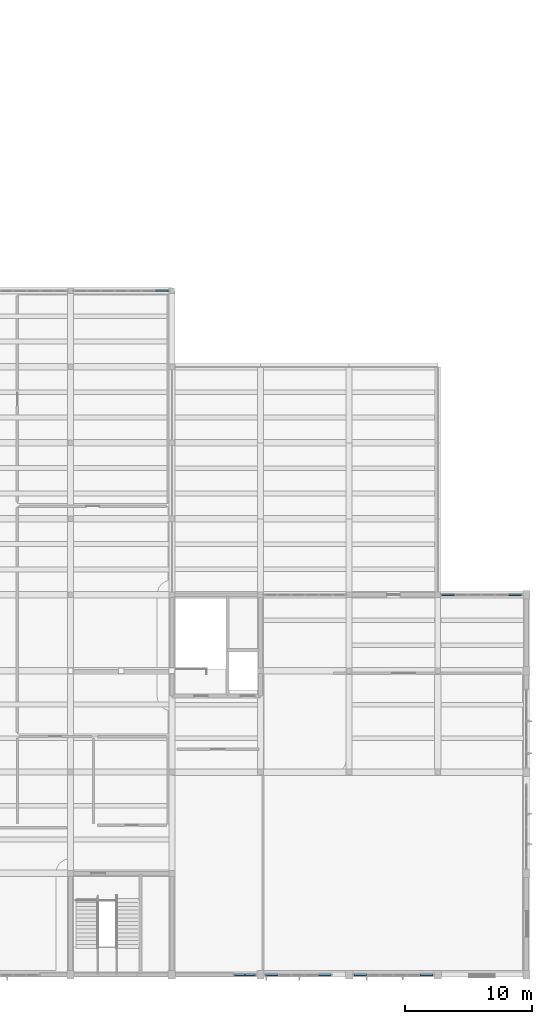
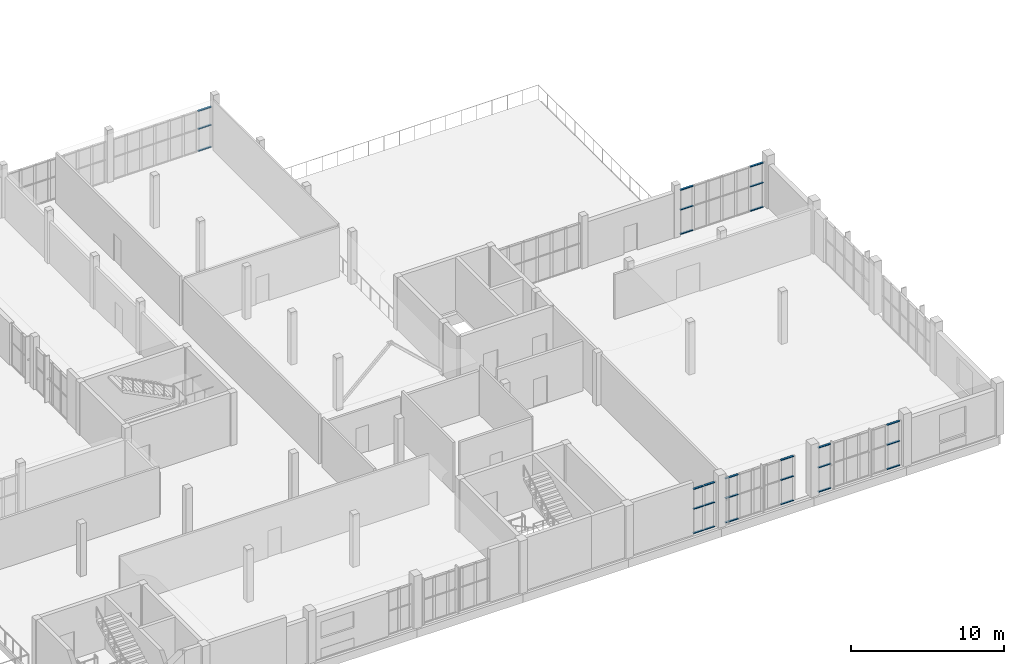
# One storey, part 38 of 70: 27 members, 5 elements without a shape of their own.
"""IFC4 building model written with IfcOpenShell, lengths in metres."""

from ifc_helpers import new_model, si_unit, direction, frame, origin, origin_2d, place, context, subcontext, project, spatial, rectangle, extrude, material, layer, layer_set, material_profile, profile_set, type_object, element, aggregate, save


model = new_model("IFC4")

# Units and contexts
model_context = context("Model", 3, precision=1e-05, world=origin(), true_north=direction((0.0, 1.0)))
body_context = subcontext(model_context, "Body", "Model", "MODEL_VIEW")
ifc_project = project(units=[si_unit("LENGTHUNIT", "METRE"), si_unit("AREAUNIT", "SQUARE_METRE"), si_unit("VOLUMEUNIT", "CUBIC_METRE"), si_unit("PLANEANGLEUNIT", "RADIAN"), si_unit("MASSUNIT", "GRAM", prefix="KILO")], contexts=[model_context])

# Site, building, storey
site_placement = place(None, origin())
site = spatial("IfcSite", under=ifc_project, at=site_placement, CompositionType="ELEMENT")
building_placement = place(site_placement, origin())
building = spatial("IfcBuilding", under=site, at=building_placement, Name="Solvane Community Centre", CompositionType="ELEMENT")
storey_placement = place(building_placement, frame((0.0, 0.0, 9.60009765625)))
storey = spatial("IfcBuildingStorey", under=building, at=storey_placement, Name="L02", CompositionType="ELEMENT", Elevation=9.60009765625)

# Curtain wall, members
ifc_material = material(Name="Anodised bronze aluminium AW-6063 T6", Category="aluminium")
ifc_layer_1 = layer(ifc_material, 0.18994140625)
ifc_layer_set_1 = layer_set([ifc_layer_1], Name="Anodised bronze aluminium AW-6063 T6")
curtain_wall_type_1 = type_object("IfcCurtainWallType", Name="Boulevard Bronze Vision Curtain Wall [63x36dm]", PredefinedType="NOTDEFINED", material=ifc_layer_set_1)
curtain_wall_1_placement = place(storey_placement, origin())
curtain_wall_1 = element("IfcCurtainWall", 1, at=curtain_wall_1_placement, inside=storey, type_object=curtain_wall_type_1, Name="Curtain Wall CW-L02-1606_60-184", PredefinedType="NOTDEFINED")
ifc_material_profile = material_profile(ifc_material, rectangle(XDim=0.14990234375, YDim=0.06005859375, at=origin_2d()), Name="CW-T 60x150")
ifc_profile_set = profile_set([ifc_material_profile], Name="Anodised bronze aluminium AW-6063 T6")
member_type = type_object("IfcMemberType", Name="Boulevard Transom 60x150", PredefinedType="USERDEFINED", material=ifc_profile_set)
member_1_placement = place(storey_placement, frame((160.5849609375, 6.0, 0.02978515625), z_axis=(-1.0, 0.0, 0.0), x_axis=(0.0, -1.0, 0.0)))
member_1 = element("IfcMember", 2, at=member_1_placement, type_object=member_type, Name="CW02-63x36 transom 1.1", ObjectType="TRANSOM", PredefinedType="USERDEFINED", context=body_context, shape_type="SweptSolid", body=[
    extrude(rectangle(XDim=0.14990234375, YDim=0.06005859375, at=origin_2d()), origin(), (0.0, 0.0, 1.0), 0.958251953125),
])
member_2_placement = place(storey_placement, frame((160.5849609375, 6.0, 1.968994140625), z_axis=(-1.0, 0.0, 0.0), x_axis=(0.0, -1.0, 0.0)))
member_2 = element("IfcMember", 3, at=member_2_placement, type_object=member_type, Name="CW02-63x36 transom 1.2", ObjectType="TRANSOM", PredefinedType="USERDEFINED", context=body_context, shape_type="SweptSolid", body=[
    extrude(rectangle(XDim=0.14990234375, YDim=0.06005859375, at=origin_2d()), origin(), (0.0, 0.0, 1.0), 0.958251953125),
])
member_3_placement = place(storey_placement, frame((160.5849609375, 6.0, 3.5498046875), z_axis=(-1.0, 0.0, 0.0), x_axis=(0.0, -1.0, 0.0)))
member_3 = element("IfcMember", 4, at=member_3_placement, type_object=member_type, Name="CW02-63x36 transom 1.3", ObjectType="TRANSOM", PredefinedType="USERDEFINED", context=body_context, shape_type="SweptSolid", body=[
    extrude(rectangle(XDim=0.14990234375, YDim=0.06005859375, at=origin_2d()), origin(), (0.0, 0.0, 1.0), 0.958251953125),
])
member_4_placement = place(storey_placement, frame((155.373291015625, 6.0, 0.02978515625), z_axis=(-1.0, 0.0, 0.0), x_axis=(0.0, -1.0, 0.0)))
member_4 = element("IfcMember", 5, at=member_4_placement, type_object=member_type, Name="CW02-63x36 transom 6.1", ObjectType="TRANSOM", PredefinedType="USERDEFINED", context=body_context, shape_type="SweptSolid", body=[
    extrude(rectangle(XDim=0.14990234375, YDim=0.06005859375, at=origin_2d()), origin(), (0.0, 0.0, 1.0), 0.958251953125),
])
member_5_placement = place(storey_placement, frame((155.373291015625, 6.0, 1.968994140625), z_axis=(-1.0, 0.0, 0.0), x_axis=(0.0, -1.0, 0.0)))
member_5 = element("IfcMember", 6, at=member_5_placement, type_object=member_type, Name="CW02-63x36 transom 6.2", ObjectType="TRANSOM", PredefinedType="USERDEFINED", context=body_context, shape_type="SweptSolid", body=[
    extrude(rectangle(XDim=0.14990234375, YDim=0.06005859375, at=origin_2d()), origin(), (0.0, 0.0, 1.0), 0.958251953125),
])
member_6_placement = place(storey_placement, frame((155.373291015625, 6.0, 3.5498046875), z_axis=(-1.0, 0.0, 0.0), x_axis=(0.0, -1.0, 0.0)))
member_6 = element("IfcMember", 7, at=member_6_placement, type_object=member_type, Name="CW02-63x36 transom 6.3", ObjectType="TRANSOM", PredefinedType="USERDEFINED", context=body_context, shape_type="SweptSolid", body=[
    extrude(rectangle(XDim=0.14990234375, YDim=0.06005859375, at=origin_2d()), origin(), (0.0, 0.0, 1.0), 0.958251953125),
])
aggregate(curtain_wall_1, [member_1, member_2, member_3, member_4, member_5, member_6])

ifc_layer_2 = layer(ifc_material, 0.18994140625)
ifc_layer_set_2 = layer_set([ifc_layer_2], Name="Anodised bronze aluminium AW-6063 T6")
curtain_wall_type_2 = type_object("IfcCurtainWallType", Name="Boulevard Bronze Vision Curtain Wall [53x36dm]", PredefinedType="NOTDEFINED", material=ifc_layer_set_2)
curtain_wall_2_placement = place(storey_placement, origin())
curtain_wall_2 = element("IfcCurtainWall", 8, at=curtain_wall_2_placement, inside=storey, type_object=curtain_wall_type_2, Name="Curtain Wall CW-L02-1526_60-185", PredefinedType="NOTDEFINED")
member_7_placement = place(storey_placement, frame((152.555419921875, 6.0, 0.02978515625), z_axis=(-1.0, 0.0, 0.0), x_axis=(0.0, -1.0, 0.0)))
member_7 = element("IfcMember", 9, at=member_7_placement, type_object=member_type, Name="CW02-53x36 transom 1.1", ObjectType="TRANSOM", PredefinedType="USERDEFINED", context=body_context, shape_type="SweptSolid", body=[
    extrude(rectangle(XDim=0.14990234375, YDim=0.06005859375, at=origin_2d()), origin(), (0.0, 0.0, 1.0), 0.962158203125),
])
member_8_placement = place(storey_placement, frame((152.555419921875, 6.0, 1.968994140625), z_axis=(-1.0, 0.0, 0.0), x_axis=(0.0, -1.0, 0.0)))
member_8 = element("IfcMember", 10, at=member_8_placement, type_object=member_type, Name="CW02-53x36 transom 1.2", ObjectType="TRANSOM", PredefinedType="USERDEFINED", context=body_context, shape_type="SweptSolid", body=[
    extrude(rectangle(XDim=0.14990234375, YDim=0.06005859375, at=origin_2d()), origin(), (0.0, 0.0, 1.0), 0.962158203125),
])
member_9_placement = place(storey_placement, frame((152.555419921875, 6.0, 3.5498046875), z_axis=(-1.0, 0.0, 0.0), x_axis=(0.0, -1.0, 0.0)))
member_9 = element("IfcMember", 11, at=member_9_placement, type_object=member_type, Name="CW02-53x36 transom 1.3", ObjectType="TRANSOM", PredefinedType="USERDEFINED", context=body_context, shape_type="SweptSolid", body=[
    extrude(rectangle(XDim=0.14990234375, YDim=0.06005859375, at=origin_2d()), origin(), (0.0, 0.0, 1.0), 0.962158203125),
])
member_10_placement = place(storey_placement, frame((148.377197265625, 6.0, 0.02978515625), z_axis=(-1.0, 0.0, 0.0), x_axis=(0.0, -1.0, 0.0)))
member_10 = element("IfcMember", 12, at=member_10_placement, type_object=member_type, Name="CW02-53x36 transom 5.1", ObjectType="TRANSOM", PredefinedType="USERDEFINED", context=body_context, shape_type="SweptSolid", body=[
    extrude(rectangle(XDim=0.14990234375, YDim=0.06005859375, at=origin_2d()), origin(), (0.0, 0.0, 1.0), 0.962158203125),
])
member_11_placement = place(storey_placement, frame((148.377197265625, 6.0, 1.968994140625), z_axis=(-1.0, 0.0, 0.0), x_axis=(0.0, -1.0, 0.0)))
member_11 = element("IfcMember", 13, at=member_11_placement, type_object=member_type, Name="CW02-53x36 transom 5.2", ObjectType="TRANSOM", PredefinedType="USERDEFINED", context=body_context, shape_type="SweptSolid", body=[
    extrude(rectangle(XDim=0.14990234375, YDim=0.06005859375, at=origin_2d()), origin(), (0.0, 0.0, 1.0), 0.962158203125),
])
member_12_placement = place(storey_placement, frame((148.377197265625, 6.0, 3.5498046875), z_axis=(-1.0, 0.0, 0.0), x_axis=(0.0, -1.0, 0.0)))
member_12 = element("IfcMember", 14, at=member_12_placement, type_object=member_type, Name="CW02-53x36 transom 5.3", ObjectType="TRANSOM", PredefinedType="USERDEFINED", context=body_context, shape_type="SweptSolid", body=[
    extrude(rectangle(XDim=0.14990234375, YDim=0.06005859375, at=origin_2d()), origin(), (0.0, 0.0, 1.0), 0.962158203125),
])
aggregate(curtain_wall_2, [member_7, member_8, member_9, member_10, member_11, member_12])

ifc_layer_3 = layer(ifc_material, 0.18994140625)
ifc_layer_set_3 = layer_set([ifc_layer_3], Name="Anodised bronze aluminium AW-6063 T6")
curtain_wall_type_3 = type_object("IfcCurtainWallType", Name="Boulevard Bronze Vision Curtain Wall [17x36dm]", PredefinedType="NOTDEFINED", material=ifc_layer_set_3)
curtain_wall_3_placement = place(storey_placement, origin())
curtain_wall_3 = element("IfcCurtainWall", 15, at=curtain_wall_3_placement, inside=storey, type_object=curtain_wall_type_3, Name="Curtain Wall CW-L02-1466_60-186", PredefinedType="NOTDEFINED")
member_13_placement = place(storey_placement, frame((146.5849609375, 6.0, 0.02978515625), z_axis=(-1.0, 0.0, 0.0), x_axis=(0.0, -1.0, 0.0)))
member_13 = element("IfcMember", 16, at=member_13_placement, type_object=member_type, Name="CW02-17x36 transom 1.1", ObjectType="TRANSOM", PredefinedType="USERDEFINED", context=body_context, shape_type="SweptSolid", body=[
    extrude(rectangle(XDim=0.14990234375, YDim=0.06005859375, at=origin_2d()), origin(), (0.0, 0.0, 1.0), 0.77099609375),
])
member_14_placement = place(storey_placement, frame((146.5849609375, 6.0, 1.968994140625), z_axis=(-1.0, 0.0, 0.0), x_axis=(0.0, -1.0, 0.0)))
member_14 = element("IfcMember", 17, at=member_14_placement, type_object=member_type, Name="CW02-17x36 transom 1.2", ObjectType="TRANSOM", PredefinedType="USERDEFINED", context=body_context, shape_type="SweptSolid", body=[
    extrude(rectangle(XDim=0.14990234375, YDim=0.06005859375, at=origin_2d()), origin(), (0.0, 0.0, 1.0), 0.77099609375),
])
member_15_placement = place(storey_placement, frame((146.5849609375, 6.0, 3.5498046875), z_axis=(-1.0, 0.0, 0.0), x_axis=(0.0, -1.0, 0.0)))
member_15 = element("IfcMember", 18, at=member_15_placement, type_object=member_type, Name="CW02-17x36 transom 1.3", ObjectType="TRANSOM", PredefinedType="USERDEFINED", context=body_context, shape_type="SweptSolid", body=[
    extrude(rectangle(XDim=0.14990234375, YDim=0.06005859375, at=origin_2d()), origin(), (0.0, 0.0, 1.0), 0.77099609375),
])
member_16_placement = place(storey_placement, frame((145.754150390625, 6.0, 0.02978515625), z_axis=(-1.0, 0.0, 0.0), x_axis=(0.0, -1.0, 0.0)))
member_16 = element("IfcMember", 19, at=member_16_placement, type_object=member_type, Name="CW02-17x36 transom 2.1", ObjectType="TRANSOM", PredefinedType="USERDEFINED", context=body_context, shape_type="SweptSolid", body=[
    extrude(rectangle(XDim=0.14990234375, YDim=0.06005859375, at=origin_2d()), origin(), (0.0, 0.0, 1.0), 0.77099609375),
])
member_17_placement = place(storey_placement, frame((145.754150390625, 6.0, 1.968994140625), z_axis=(-1.0, 0.0, 0.0), x_axis=(0.0, -1.0, 0.0)))
member_17 = element("IfcMember", 20, at=member_17_placement, type_object=member_type, Name="CW02-17x36 transom 2.2", ObjectType="TRANSOM", PredefinedType="USERDEFINED", context=body_context, shape_type="SweptSolid", body=[
    extrude(rectangle(XDim=0.14990234375, YDim=0.06005859375, at=origin_2d()), origin(), (0.0, 0.0, 1.0), 0.77099609375),
])
member_18_placement = place(storey_placement, frame((145.754150390625, 6.0, 3.5498046875), z_axis=(-1.0, 0.0, 0.0), x_axis=(0.0, -1.0, 0.0)))
member_18 = element("IfcMember", 21, at=member_18_placement, type_object=member_type, Name="CW02-17x36 transom 2.3", ObjectType="TRANSOM", PredefinedType="USERDEFINED", context=body_context, shape_type="SweptSolid", body=[
    extrude(rectangle(XDim=0.14990234375, YDim=0.06005859375, at=origin_2d()), origin(), (0.0, 0.0, 1.0), 0.77099609375),
])
aggregate(curtain_wall_3, [member_13, member_14, member_15, member_16, member_17, member_18])

ifc_layer_4 = layer(ifc_material, 0.18994140625)
ifc_layer_set_4 = layer_set([ifc_layer_4], Name="Anodised bronze aluminium AW-6063 T6")
curtain_wall_type_4 = type_object("IfcCurtainWallType", Name="Boulevard Bronze Vision Curtain Wall [75x32dm]", PredefinedType="NOTDEFINED", material=ifc_layer_set_4)
curtain_wall_4_placement = place(storey_placement, origin())
curtain_wall_4 = element("IfcCurtainWall", 22, at=curtain_wall_4_placement, inside=storey, type_object=curtain_wall_type_4, Name="Curtain Wall CW-L02-1322_600-201", PredefinedType="NOTDEFINED")
member_19_placement = place(storey_placement, frame((138.71923828125, 60.0, 0.02978515625), z_axis=(1.0, 0.0, 0.0), x_axis=(0.0, 1.0, 0.0)))
member_19 = element("IfcMember", 23, at=member_19_placement, type_object=member_type, Name="CW02-75x32 transom 7.1", ObjectType="TRANSOM", PredefinedType="USERDEFINED", context=body_context, shape_type="SweptSolid", body=[
    extrude(rectangle(XDim=0.14990234375, YDim=0.06005859375, at=origin_2d()), origin(), (0.0, 0.0, 1.0), 0.98583984375),
])
member_20_placement = place(storey_placement, frame((138.71923828125, 60.0, 1.784912109375), z_axis=(1.0, 0.0, 0.0), x_axis=(0.0, 1.0, 0.0)))
member_20 = element("IfcMember", 24, at=member_20_placement, type_object=member_type, Name="CW02-75x32 transom 7.2", ObjectType="TRANSOM", PredefinedType="USERDEFINED", context=body_context, shape_type="SweptSolid", body=[
    extrude(rectangle(XDim=0.14990234375, YDim=0.06005859375, at=origin_2d()), origin(), (0.0, 0.0, 1.0), 0.98583984375),
])
member_21_placement = place(storey_placement, frame((138.71923828125, 60.0, 3.21484375), z_axis=(1.0, 0.0, 0.0), x_axis=(0.0, 1.0, 0.0)))
member_21 = element("IfcMember", 25, at=member_21_placement, type_object=member_type, Name="CW02-75x32 transom 7.3", ObjectType="TRANSOM", PredefinedType="USERDEFINED", context=body_context, shape_type="SweptSolid", body=[
    extrude(rectangle(XDim=0.14990234375, YDim=0.06005859375, at=origin_2d()), origin(), (0.0, 0.0, 1.0), 0.98583984375),
])
aggregate(curtain_wall_4, [member_19, member_20, member_21])

ifc_layer_5 = layer(ifc_material, 0.18994140625)
ifc_layer_set_5 = layer_set([ifc_layer_5], Name="Anodised bronze aluminium AW-6063 T6")
curtain_wall_type_5 = type_object("IfcCurtainWallType", Name="Boulevard Bronze Vision Curtain Wall [64x36dm]", PredefinedType="NOTDEFINED", material=ifc_layer_set_5)
curtain_wall_5_placement = place(storey_placement, origin())
curtain_wall_5 = element("IfcCurtainWall", 26, at=curtain_wall_5_placement, inside=storey, type_object=curtain_wall_type_5, Name="Curtain Wall CW-L02-1612_360-203", PredefinedType="NOTDEFINED")
member_22_placement = place(storey_placement, frame((161.304931640625, 36.0, 0.02978515625), z_axis=(1.0, 0.0, 0.0), x_axis=(0.0, 1.0, 0.0)))
member_22 = element("IfcMember", 27, at=member_22_placement, type_object=member_type, Name="CW02-64x36 transom 1.1", ObjectType="TRANSOM", PredefinedType="USERDEFINED", context=body_context, shape_type="SweptSolid", body=[
    extrude(rectangle(XDim=0.14990234375, YDim=0.06005859375, at=origin_2d()), origin(), (0.0, 0.0, 1.0), 0.976806640625),
])
member_23_placement = place(storey_placement, frame((161.304931640625, 36.0, 1.968994140625), z_axis=(1.0, 0.0, 0.0), x_axis=(0.0, 1.0, 0.0)))
member_23 = element("IfcMember", 28, at=member_23_placement, type_object=member_type, Name="CW02-64x36 transom 1.2", ObjectType="TRANSOM", PredefinedType="USERDEFINED", context=body_context, shape_type="SweptSolid", body=[
    extrude(rectangle(XDim=0.14990234375, YDim=0.06005859375, at=origin_2d()), origin(), (0.0, 0.0, 1.0), 0.976806640625),
])
member_24_placement = place(storey_placement, frame((161.304931640625, 36.0, 3.5498046875), z_axis=(1.0, 0.0, 0.0), x_axis=(0.0, 1.0, 0.0)))
member_24 = element("IfcMember", 29, at=member_24_placement, type_object=member_type, Name="CW02-64x36 transom 1.3", ObjectType="TRANSOM", PredefinedType="USERDEFINED", context=body_context, shape_type="SweptSolid", body=[
    extrude(rectangle(XDim=0.14990234375, YDim=0.06005859375, at=origin_2d()), origin(), (0.0, 0.0, 1.0), 0.976806640625),
])
member_25_placement = place(storey_placement, frame((166.6083984375, 36.0, 0.02978515625), z_axis=(1.0, 0.0, 0.0), x_axis=(0.0, 1.0, 0.0)))
member_25 = element("IfcMember", 30, at=member_25_placement, type_object=member_type, Name="CW02-64x36 transom 6.1", ObjectType="TRANSOM", PredefinedType="USERDEFINED", context=body_context, shape_type="SweptSolid", body=[
    extrude(rectangle(XDim=0.14990234375, YDim=0.06005859375, at=origin_2d()), origin(), (0.0, 0.0, 1.0), 0.9765625),
])
member_26_placement = place(storey_placement, frame((166.6083984375, 36.0, 1.968994140625), z_axis=(1.0, 0.0, 0.0), x_axis=(0.0, 1.0, 0.0)))
member_26 = element("IfcMember", 31, at=member_26_placement, type_object=member_type, Name="CW02-64x36 transom 6.2", ObjectType="TRANSOM", PredefinedType="USERDEFINED", context=body_context, shape_type="SweptSolid", body=[
    extrude(rectangle(XDim=0.14990234375, YDim=0.06005859375, at=origin_2d()), origin(), (0.0, 0.0, 1.0), 0.9765625),
])
member_27_placement = place(storey_placement, frame((166.6083984375, 36.0, 3.5498046875), z_axis=(1.0, 0.0, 0.0), x_axis=(0.0, 1.0, 0.0)))
member_27 = element("IfcMember", 32, at=member_27_placement, type_object=member_type, Name="CW02-64x36 transom 6.3", ObjectType="TRANSOM", PredefinedType="USERDEFINED", context=body_context, shape_type="SweptSolid", body=[
    extrude(rectangle(XDim=0.14990234375, YDim=0.06005859375, at=origin_2d()), origin(), (0.0, 0.0, 1.0), 0.9765625),
])
aggregate(curtain_wall_5, [member_22, member_23, member_24, member_25, member_26, member_27])

save(model, "model.ifc")
